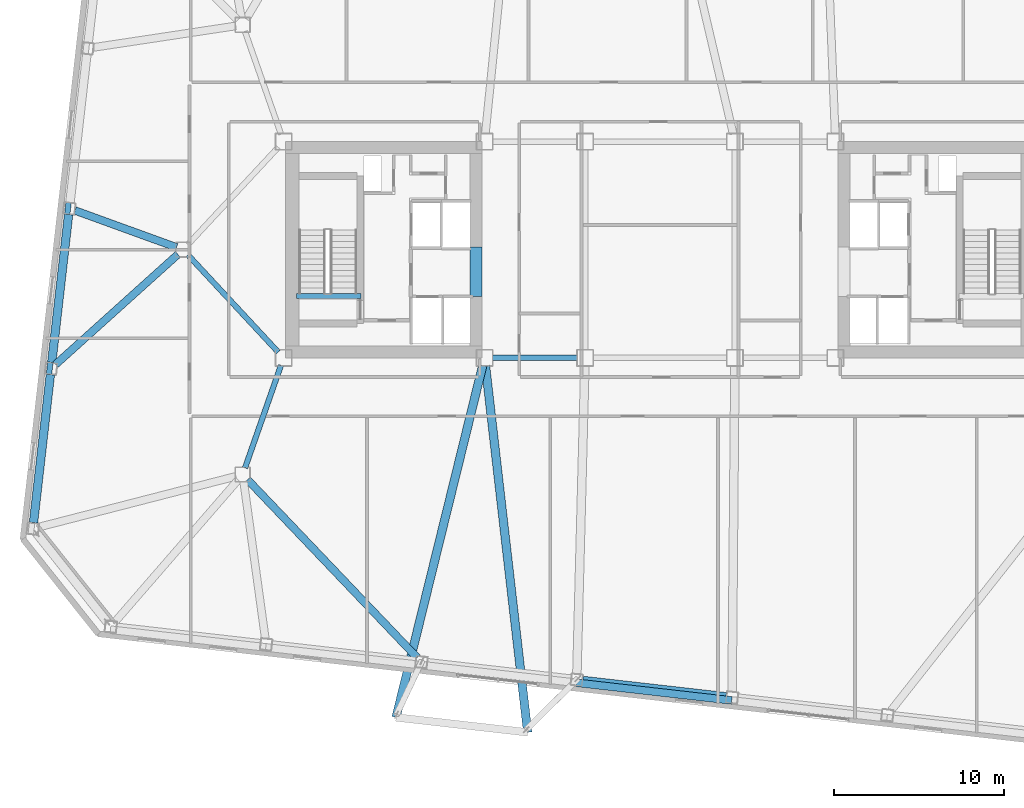
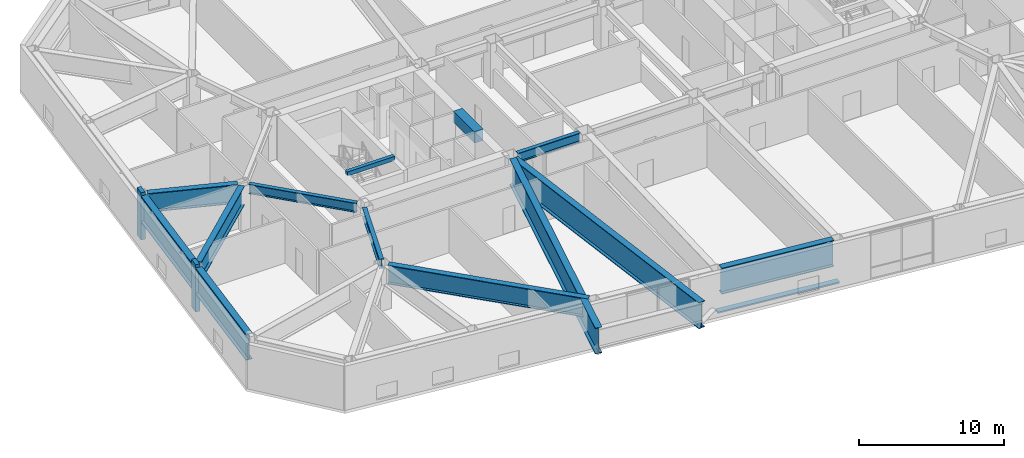
# One storey, part 3 of 21: 13 beams, 3 members.
"""IFC4 building model written with IfcOpenShell, lengths in metres."""

import ifcopenshell
import ifcopenshell.guid

model = None  # the IFC model being written
_history = None  # IfcOwnerHistory: only IFC2X3 demands one
_inside = {}  # id of a spatial element -> (the spatial element, [elements in it])
_under = {}  # id of a project, library or spatial element -> (it, [spatial elements below it])
_declared = {}  # id of a project -> (the project, [libraries it declares])
_typed = {}  # id of a type object -> (the type object, [elements of that type])
_made_of = {}  # id of a material, layer set ... -> (it, [elements and type objects made of it])


def new_model(schema):
    """Start an empty IFC model of exactly this schema.

    Asked for "IFC4X3", IfcOpenShell would pick the latest addendum, in which some entities
    have other attributes; the version numbers below select the first issue.
    IFC2X3 requires an IfcOwnerHistory on every rooted entity: one is made here for all.
    """
    global model, _history
    if schema == "IFC4X3":
        model = ifcopenshell.file(schema_version=(4, 3, 0, 0))
    else:
        model = ifcopenshell.file(schema=schema)
    _inside.clear()
    _under.clear()
    _declared.clear()
    _typed.clear()
    _made_of.clear()
    _history = None
    if model.schema == "IFC2X3":
        org = make("IfcOrganization", Name="unknown")
        user = make(
            "IfcPersonAndOrganization",
            ThePerson=make("IfcPerson", FamilyName="unknown"),
            TheOrganization=org,
        )
        app = make(
            "IfcApplication",
            ApplicationDeveloper=org,
            Version="unknown",
            ApplicationFullName="unknown",
            ApplicationIdentifier="unknown",
        )
        _history = make(
            "IfcOwnerHistory",
            OwningUser=user,
            OwningApplication=app,
            ChangeAction="ADDED",
            CreationDate=0,
        )
    return model


def make(cls, **values):
    """One entity of the class cls with the attributes given. An attribute that is None is left unset."""
    return model.create_entity(
        cls, **{name: value for name, value in values.items() if value is not None}
    )


def rooted(cls, **values):
    """An entity with a GlobalId (a new one), such as an element, a storey or a relation."""
    return make(cls, GlobalId=ifcopenshell.guid.new(), OwnerHistory=_history, **values)


def si_unit(unit_type, name, prefix=None):
    """IfcSIUnit, for example si_unit("LENGTHUNIT", "METRE", prefix="MILLI")."""
    return make("IfcSIUnit", UnitType=unit_type, Prefix=prefix, Name=name)


def assignment(units):
    """IfcUnitAssignment: the units of a project."""
    return None if units is None else make("IfcUnitAssignment", Units=units)


def point(xyz):
    """IfcCartesianPoint."""
    return None if xyz is None else make("IfcCartesianPoint", Coordinates=xyz)


def direction(xyz):
    """IfcDirection."""
    return None if xyz is None else make("IfcDirection", DirectionRatios=xyz)


def frame(location, z_axis=None, x_axis=None):
    """IfcAxis2Placement3D, a coordinate frame: its origin and axes. An axis left out is left unset."""
    return make(
        "IfcAxis2Placement3D",
        Location=point(location),
        Axis=direction(z_axis),
        RefDirection=direction(x_axis),
    )


def frame_2d(location, x_axis=None):
    """IfcAxis2Placement2D, a coordinate frame in the plane: its origin and x axis."""
    return make(
        "IfcAxis2Placement2D", Location=point(location), RefDirection=direction(x_axis)
    )


def origin():
    """The frame at (0, 0, 0) with its axes left unset."""
    return frame((0.0, 0.0, 0.0))


def origin_2d():
    """The frame at (0, 0) in the plane with its x axis left unset."""
    return frame_2d((0.0, 0.0))


def place(relative_to, where):
    """IfcLocalPlacement: puts the frame where relative to a parent placement (None: the world)."""
    return make(
        "IfcLocalPlacement", PlacementRelTo=relative_to, RelativePlacement=where
    )


def context(
    kind, dimensions, precision=None, world=None, true_north=None, identifier=None
):
    """IfcGeometricRepresentationContext, for example the 3D "Model" context."""
    return make(
        "IfcGeometricRepresentationContext",
        ContextIdentifier=identifier,
        ContextType=kind,
        CoordinateSpaceDimension=dimensions,
        Precision=precision,
        WorldCoordinateSystem=world,
        TrueNorth=true_north,
    )


def subcontext(parent, identifier, kind, view, scale=None):
    """IfcGeometricRepresentationSubContext, for example "Body" below "Model"."""
    return make(
        "IfcGeometricRepresentationSubContext",
        ContextIdentifier=identifier,
        ContextType=kind,
        ParentContext=parent,
        TargetScale=scale,
        TargetView=view,
    )


def project(units=None, contexts=None):
    """IfcProject with its units and contexts."""
    return rooted(
        "IfcProject",
        Name="project",
        RepresentationContexts=contexts,
        UnitsInContext=assignment(units),
    )


def spatial(cls, under=None, at=None, **own):
    """A site, building, storey or space (cls), placed at a placement, below another one or the project."""
    s = rooted(cls, ObjectPlacement=at, **own)
    if under is not None:
        _under.setdefault(under.id(), (under, []))[1].append(s)
    return s


def profile(cls, at=None, kind="AREA", **sizes):
    """A parametric profile (cls). Its sizes go by their IFC names, for example OverallWidth=200.0."""
    return make(cls, ProfileType=kind, Position=at, **sizes)


def rectangle(**sizes):
    """IfcRectangleProfileDef."""
    return profile("IfcRectangleProfileDef", **sizes)


def i_section(**sizes):
    """IfcIShapeProfileDef."""
    return profile("IfcIShapeProfileDef", **sizes)


def extrude(swept, where, along, depth):
    """IfcExtrudedAreaSolid: the profile swept, set in the frame where, extruded along a direction by depth."""
    return make(
        "IfcExtrudedAreaSolid",
        SweptArea=swept,
        Position=where,
        ExtrudedDirection=direction(along),
        Depth=depth,
    )


def shape(context_of_items, identifier, shape_type, items):
    """IfcShapeRepresentation: the items that make up one representation, for example the "Body"."""
    return make(
        "IfcShapeRepresentation",
        ContextOfItems=context_of_items,
        RepresentationIdentifier=identifier,
        RepresentationType=shape_type,
        Items=items,
    )


def material(Name=None, Category=None):
    """IfcMaterial."""
    return make("IfcMaterial", Name=Name, Category=Category)


def material_profile(
    of_material, cross_section, Name=None, Category=None, Priority=None
):
    """IfcMaterialProfile: a cross section and its material."""
    return make(
        "IfcMaterialProfile",
        Name=Name,
        Material=of_material,
        Profile=cross_section,
        Priority=Priority,
        Category=Category,
    )


def profile_set(profiles, Name=None, composite=None):
    """IfcMaterialProfileSet."""
    return make(
        "IfcMaterialProfileSet",
        Name=Name,
        MaterialProfiles=profiles,
        CompositeProfile=composite,
    )


def made_of(thing, what):
    """Note that an element or type object is made of a material, layer set ...; save() writes the relation."""
    if what is not None:
        _made_of.setdefault(what.id(), (what, []))[1].append(thing)
    return thing


def type_object(cls, material=None, **own):
    """A type object (cls), such as IfcWallType, which elements share."""
    return made_of(rooted(cls, **own), material)


def element(
    cls,
    number,
    at=None,
    inside=None,
    cuts=None,
    type_object=None,
    material=None,
    context=None,
    identifier="Body",
    shape_type=None,
    held_by="IfcProductDefinitionShape",
    body=None,
    shapes=None,
    **own,
):
    """One element of the class cls, such as IfcWall. Its Tag is "e" and its number.

    at: its placement. inside: the storey or other place that contains it. cuts: it is an
    opening in that element (IfcRelVoidsElement). A single representation is given by context,
    identifier, shape_type and body (its items); several are given by shapes. held_by: the class
    of the entity that holds the representations. save() writes the other relations.
    """
    e = rooted(cls, Tag="e%d" % number, ObjectPlacement=at, **own)
    if body is not None:
        shapes = [shape(context, identifier, shape_type, body)]
    if shapes is not None:
        e.Representation = make(held_by, Representations=shapes)
    if inside is not None:
        _inside.setdefault(inside.id(), (inside, []))[1].append(e)
    if cuts is not None:
        rooted(
            "IfcRelVoidsElement", RelatingBuildingElement=cuts, RelatedOpeningElement=e
        )
    if type_object is not None:
        _typed.setdefault(type_object.id(), (type_object, []))[1].append(e)
    return made_of(e, material)


def aggregate(whole, parts):
    """IfcRelAggregates: a whole, such as a stair, and the parts it consists of."""
    return rooted("IfcRelAggregates", RelatingObject=whole, RelatedObjects=parts)


def save(model, path):
    """Write the relations noted so far, then the file.

    IfcRelAggregates (storeys below a building ...), IfcRelContainedInSpatialStructure (elements
    in a storey), IfcRelDefinesByType, IfcRelAssociatesMaterial and IfcRelDeclares: one each for
    every whole, place, type object, material and project.
    """
    for whole, parts in _under.values():
        aggregate(whole, parts)
    for where, things in _inside.values():
        rooted(
            "IfcRelContainedInSpatialStructure",
            RelatedElements=things,
            RelatingStructure=where,
        )
    for kind, things in _typed.values():
        rooted("IfcRelDefinesByType", RelatedObjects=things, RelatingType=kind)
    for what, things in _made_of.values():
        rooted("IfcRelAssociatesMaterial", RelatedObjects=things, RelatingMaterial=what)
    for by, libraries in _declared.values():
        rooted("IfcRelDeclares", RelatingContext=by, RelatedDefinitions=libraries)
    model.write(path)


model = new_model("IFC4")

# Units and contexts
model_context = context("Model", 3, precision=1e-05, world=origin(), true_north=direction((0.0, 1.0)))
body_context = subcontext(model_context, "Body", "Model", "MODEL_VIEW")
ifc_project = project(units=[si_unit("LENGTHUNIT", "METRE"), si_unit("AREAUNIT", "SQUARE_METRE"), si_unit("VOLUMEUNIT", "CUBIC_METRE"), si_unit("PLANEANGLEUNIT", "RADIAN"), si_unit("MASSUNIT", "GRAM", prefix="KILO")], contexts=[model_context])

# Site, building, storey
site_placement = place(None, origin())
site = spatial("IfcSite", under=ifc_project, at=site_placement, CompositionType="ELEMENT")
building_placement = place(site_placement, origin())
building = spatial("IfcBuilding", under=site, at=building_placement, Name="Tavrogorsk Clinical Tower", CompositionType="ELEMENT")
storey_placement = place(building_placement, frame((0.0, 0.0, 89.39990234375)))
storey = spatial("IfcBuildingStorey", under=building, at=storey_placement, Name="L19", CompositionType="ELEMENT", Elevation=89.39990234375)

# Member
ifc_material_1 = material(Name="Anodised aluminium alloy AW-6063", Category="aluminium")
ifc_material_profile_1 = material_profile(ifc_material_1, rectangle(XDim=0.449951171875, YDim=0.1201171875, at=origin_2d()), Name="ALU-SUNSHADE-450x120")
ifc_profile_set_1 = profile_set([ifc_material_profile_1], Name="Anodised aluminium alloy AW-6063")
member_type_1 = type_object("IfcMemberType", Name="ChicagoSunshade_450x120", PredefinedType="USERDEFINED", material=ifc_profile_set_1)
member_placement = place(storey_placement, frame((-4.909912109375, -25.42431640625, 0.18017578125), z_axis=(0.993572654864, -0.113196199166, 0.0), x_axis=(0.113196199166, 0.993572654864, 0.0)))
element("IfcMember", 1, at=member_placement, inside=storey, type_object=member_type_1, Name="L19 South Aluminium Sunshade S4", ObjectType="SUNSHADE", PredefinedType="USERDEFINED", context=body_context, shape_type="SweptSolid", body=[
    extrude(rectangle(XDim=0.449951171875, YDim=0.1201171875, at=origin_2d()), origin(), (0.0, 0.0, 1.0), 9.17724609375),
])

# Beam
ifc_material_2 = material(Name="Concrete B80", Category="concrete")
ifc_material_profile_2 = material_profile(ifc_material_2, rectangle(XDim=0.699951171875, YDim=0.949951171875, at=origin_2d()), Name="RC-CB-700x950")
ifc_profile_set_2 = profile_set([ifc_material_profile_2], Name="Concrete B80")
beam_type_1 = type_object("IfcBeamType", Name="CouplingBeam_RC700x950", PredefinedType="LINTEL", material=ifc_profile_set_2)
beam_1_placement = place(storey_placement, frame((-10.800048828125, -2.75, 3.26513671875), z_axis=(0.0, 1.0, 0.0), x_axis=(-1.0, 0.0, 0.0)))
element("IfcBeam", 2, at=beam_1_placement, inside=storey, type_object=beam_type_1, Name="L19 Core West Coupling Beam", PredefinedType="LINTEL", context=body_context, shape_type="SweptSolid", body=[
    extrude(rectangle(XDim=0.699951171875, YDim=0.949951171875, at=origin_2d()), origin(), (0.0, 0.0, 1.0), 2.89990234375),
])

# Members
ifc_material_3 = material(Name="Precast concrete B45 with limestone cladding", Category="masonry")
ifc_material_profile_3 = material_profile(ifc_material_3, rectangle(XDim=0.320068359375, YDim=0.719970703125, at=origin_2d()), Name="LIMESTONE-FIN-320x720")
ifc_profile_set_3 = profile_set([ifc_material_profile_3], Name="Precast concrete B45 with limestone cladding")
member_type_2 = type_object("IfcMemberType", Name="LimestonePleatFin_320x720", PredefinedType="USERDEFINED", material=ifc_profile_set_3)
for number, where, z_axis, x_axis, name in (
    (3, (-34.759521484375, 2.433837890625, 0.0), (0.0, 0.0, 1.0), (0.993571855677, -0.113203213768, 0.0), "L19 W Pleated Stone Fin 2"),
    (4, (-35.83056640625, -6.96533203125, 0.0), (0.0, 0.0, 1.0), (0.993571855677, -0.113203213768, 0.0), "L19 W Pleated Stone Fin 3"),
):
    element("IfcMember", number, at=place(storey_placement, frame(where, z_axis=z_axis, x_axis=x_axis)), inside=storey, type_object=member_type_2, Name=name, ObjectType="FIN", PredefinedType="USERDEFINED", context=body_context, shape_type="SweptSolid", body=[
        extrude(rectangle(XDim=0.320068359375, YDim=0.719970703125, at=origin_2d()), origin(), (0.0, 0.0, 1.0), 4.0),
    ])

# Beams
ifc_material_4 = material(Name="Structural steel S390", Category="steel")
ifc_material_profile_4 = material_profile(ifc_material_4, i_section(OverallWidth=0.320068359375, OverallDepth=0.800048828125, WebThickness=0.02001953125, FlangeThickness=0.033935546875, at=origin_2d()), Name="B-800x320x20x34")
ifc_profile_set_4 = profile_set([ifc_material_profile_4], Name="Structural steel S390")
beam_type_2 = type_object("IfcBeamType", Name="PrimaryGirder_B800", PredefinedType="USERDEFINED", material=ifc_profile_set_4)
beam_2_placement = place(storey_placement, frame((-9.840087890625, -6.35009765625, 3.340087890625), z_axis=(1.0, 0.0, 0.0), x_axis=(0.0, 1.0, 0.0)))
element("IfcBeam", 5, at=beam_2_placement, inside=storey, type_object=beam_type_2, Name="L19 Primary Spine Girder MG-01", ObjectType="GIRDER", PredefinedType="USERDEFINED", context=body_context, shape_type="SweptSolid", body=[
    extrude(i_section(OverallWidth=0.320068359375, OverallDepth=0.800048828125, WebThickness=0.02001953125, FlangeThickness=0.033935546875, at=origin_2d()), origin(), (0.0, 0.0, 1.0), 4.97998046875),
])
beam_3_placement = place(storey_placement, frame((-24.364501953125, -12.81298828125, 3.340087890625), z_axis=(0.330660234815, 0.943749865755, 0.0), x_axis=(-0.943749865755, 0.330660234815, 0.0)))
element("IfcBeam", 6, at=beam_3_placement, inside=storey, type_object=beam_type_2, Name="L19 Spine Link Girder OPG-1", ObjectType="GIRDER", PredefinedType="USERDEFINED", context=body_context, shape_type="SweptSolid", body=[
    extrude(i_section(OverallWidth=0.320068359375, OverallDepth=0.800048828125, WebThickness=0.02001953125, FlangeThickness=0.033935546875, at=origin_2d()), origin(), (0.0, 0.0, 1.0), 6.38818359375),
])
beam_4_placement = place(storey_placement, frame((-27.720947265625, -0.30029296875, 3.340087890625), z_axis=(0.680675630035, -0.732584934787, 0.0), x_axis=(0.732584934787, 0.680675630035, 0.0)))
element("IfcBeam", 7, at=beam_4_placement, inside=storey, type_object=beam_type_2, Name="L19 Spine Link Girder OPG-5", ObjectType="GIRDER", PredefinedType="USERDEFINED", context=body_context, shape_type="SweptSolid", body=[
    extrude(i_section(OverallWidth=0.320068359375, OverallDepth=0.800048828125, WebThickness=0.02001953125, FlangeThickness=0.033935546875, at=origin_2d()), origin(), (0.0, 0.0, 1.0), 7.7978515625),
])
ifc_material_5 = material(Name="Concrete B60", Category="concrete")
ifc_material_profile_5 = material_profile(ifc_material_5, rectangle(XDim=0.300048828125, YDim=0.35009765625, at=origin_2d()), Name="RC-SHB-300x350")
ifc_profile_set_5 = profile_set([ifc_material_profile_5], Name="Concrete B60")
beam_type_3 = type_object("IfcBeamType", Name="StairHeaderBeam_RC300x350", PredefinedType="BEAM", material=ifc_profile_set_5)
beam_5_placement = place(storey_placement, frame((-21.35009765625, -2.719970703125, 3.8251953125), z_axis=(1.0, 0.0, 0.0), x_axis=(0.0, 1.0, 0.0)))
element("IfcBeam", 8, at=beam_5_placement, inside=storey, type_object=beam_type_3, Name="L20 ST-W Landing Header Beam", PredefinedType="BEAM", context=body_context, shape_type="SweptSolid", body=[
    extrude(rectangle(XDim=0.300048828125, YDim=0.35009765625, at=origin_2d()), origin(), (0.0, 0.0, 1.0), 3.800048828125),
])
ifc_material_6 = material(Name="Structural steel S440", Category="steel")
ifc_material_profile_6 = material_profile(ifc_material_6, i_section(OverallWidth=0.449951171875, OverallDepth=1.60009765625, WebThickness=0.031982421875, FlangeThickness=0.050048828125, at=origin_2d()), Name="DK-1600x450x32x50")
ifc_profile_set_6 = profile_set([ifc_material_profile_6], Name="Structural steel S440")
beam_type_4 = type_object("IfcBeamType", Name="TransferGirder_DK1600", PredefinedType="USERDEFINED", material=ifc_profile_set_6)
beam_6_placement = place(storey_placement, frame((-24.217041015625, -13.496826171875, 2.940185546875), z_axis=(0.689995410805, -0.723813741972, 0.0), x_axis=(0.723813741972, 0.689995410805, 0.0)))
element("IfcBeam", 9, at=beam_6_placement, inside=storey, type_object=beam_type_4, Name="L19 Radial Floor Beam S3", ObjectType="GIRDER", PredefinedType="USERDEFINED", context=body_context, shape_type="SweptSolid", body=[
    extrude(i_section(OverallWidth=0.449951171875, OverallDepth=1.60009765625, WebThickness=0.031982421875, FlangeThickness=0.050048828125, at=origin_2d()), origin(), (0.0, 0.0, 1.0), 14.4384765625),
])
beam_7_placement = place(storey_placement, frame((-28.385498046875, 0.139892578125, 2.940185546875), z_axis=(-0.939993443432, 0.341192506225, 0.0), x_axis=(-0.341192506225, -0.939993443432, 0.0)))
element("IfcBeam", 10, at=beam_7_placement, inside=storey, type_object=beam_type_4, Name="L19 Radial Floor Beam W3", ObjectType="GIRDER", PredefinedType="USERDEFINED", context=body_context, shape_type="SweptSolid", body=[
    extrude(i_section(OverallWidth=0.449951171875, OverallDepth=1.60009765625, WebThickness=0.031982421875, FlangeThickness=0.050048828125, at=origin_2d()), origin(), (0.0, 0.0, 1.0), 6.33837890625),
])
beam_8_placement = place(storey_placement, frame((-28.3046875, -0.274169921875, 2.940185546875), z_axis=(-0.743369550828, -0.668880939257, 0.0), x_axis=(0.668880939257, -0.743369550828, 0.0)))
element("IfcBeam", 11, at=beam_8_placement, inside=storey, type_object=beam_type_4, Name="L19 Radial Floor Beam W4", ObjectType="GIRDER", PredefinedType="USERDEFINED", context=body_context, shape_type="SweptSolid", body=[
    extrude(i_section(OverallWidth=0.449951171875, OverallDepth=1.60009765625, WebThickness=0.031982421875, FlangeThickness=0.050048828125, at=origin_2d()), origin(), (0.0, 0.0, 1.0), 9.658935546875),
])
ifc_material_7 = material(Name="Structural steel S440", Category="steel")
ifc_material_profile_7 = material_profile(ifc_material_7, i_section(OverallWidth=0.5, OverallDepth=2.199951171875, WebThickness=0.035888671875, FlangeThickness=0.054931640625, at=origin_2d()), Name="DK-2200x500x36x55")
ifc_profile_set_7 = profile_set([ifc_material_profile_7], Name="Structural steel S440")
beam_type_5 = type_object("IfcBeamType", Name="TransferGirder_DK2200", PredefinedType="USERDEFINED", material=ifc_profile_set_7)
beam_9_placement = place(storey_placement, frame((-4.533935546875, -25.2861328125, 2.64013671875), z_axis=(0.993572695356, -0.113195843756, 0.0), x_axis=(0.113195843756, 0.993572695356, 0.0)))
element("IfcBeam", 12, at=beam_9_placement, inside=storey, type_object=beam_type_5, Name="L19 Perimeter Spandrel S4-S5", ObjectType="GIRDER", PredefinedType="USERDEFINED", context=body_context, shape_type="SweptSolid", body=[
    extrude(i_section(OverallWidth=0.5, OverallDepth=2.199951171875, WebThickness=0.035888671875, FlangeThickness=0.054931640625, at=origin_2d()), origin(), (0.0, 0.0, 1.0), 8.461181640625),
])
for number, where, z_axis, x_axis, name in (
    (13, (-34.720703125, 2.069091796875, 2.64013671875), (-0.113192226434, -0.993573107464, 0.0), (0.993573107464, -0.113192226434, 0.0), "L19 Perimeter Spandrel W3-W4"),
    (14, (-35.79150390625, -7.330078125, 2.64013671875), (-0.113192226434, -0.993573107464, 0.0), (0.993573107464, -0.113192226434, 0.0), "L19 Perimeter Spandrel W4-W5"),
):
    element("IfcBeam", number, at=place(storey_placement, frame(where, z_axis=z_axis, x_axis=x_axis)), inside=storey, type_object=beam_type_5, Name=name, ObjectType="GIRDER", PredefinedType="USERDEFINED", context=body_context, shape_type="SweptSolid", body=[
        extrude(i_section(OverallWidth=0.5, OverallDepth=2.199951171875, WebThickness=0.035888671875, FlangeThickness=0.054931640625, at=origin_2d()), origin(), (0.0, 0.0, 1.0), 8.743896484375),
    ])
beam_10_placement = place(storey_placement, frame((-10.409912109375, -6.796630859375, 2.64013671875), z_axis=(-0.239108091129, -0.97099295608, 0.0), x_axis=(0.97099295608, -0.239108091129, 0.0)))
element("IfcBeam", 15, at=beam_10_placement, inside=storey, type_object=beam_type_5, Name="L20 Day-Room Base Transfer Girder DRB-03-L", ObjectType="GIRDER", PredefinedType="USERDEFINED", context=body_context, shape_type="SweptSolid", body=[
    extrude(i_section(OverallWidth=0.5, OverallDepth=2.199951171875, WebThickness=0.035888671875, FlangeThickness=0.054931640625, at=origin_2d()), origin(), (0.0, 0.0, 1.0), 21.277587890625),
])
beam_11_placement = place(storey_placement, frame((-10.247314453125, -6.806884765625, 2.64013671875), z_axis=(0.114358108503, -0.993439592033, 0.0), x_axis=(0.993439592033, 0.114358108503, 0.0)))
element("IfcBeam", 16, at=beam_11_placement, inside=storey, type_object=beam_type_5, Name="L20 Day-Room Base Transfer Girder DRB-03-R", ObjectType="GIRDER", PredefinedType="USERDEFINED", context=body_context, shape_type="SweptSolid", body=[
    extrude(i_section(OverallWidth=0.5, OverallDepth=2.199951171875, WebThickness=0.035888671875, FlangeThickness=0.054931640625, at=origin_2d()), origin(), (0.0, 0.0, 1.0), 21.6689453125),
])

save(model, "model.ifc")
